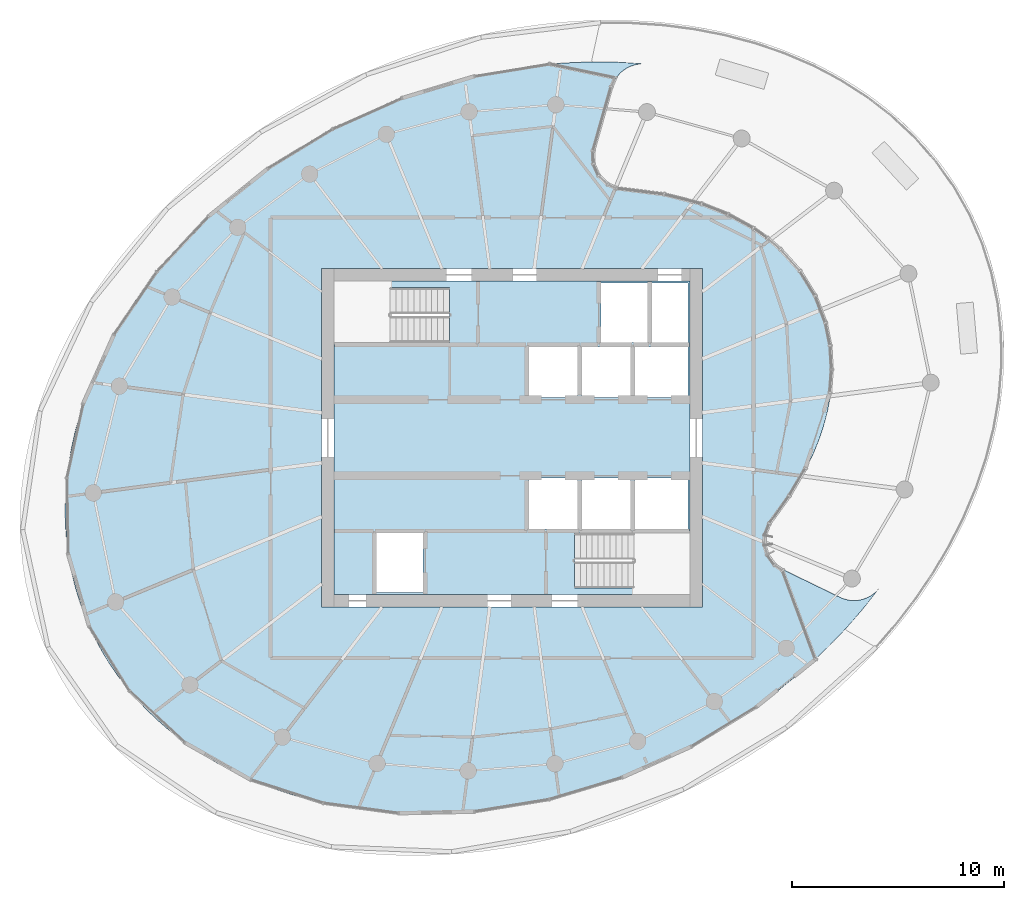
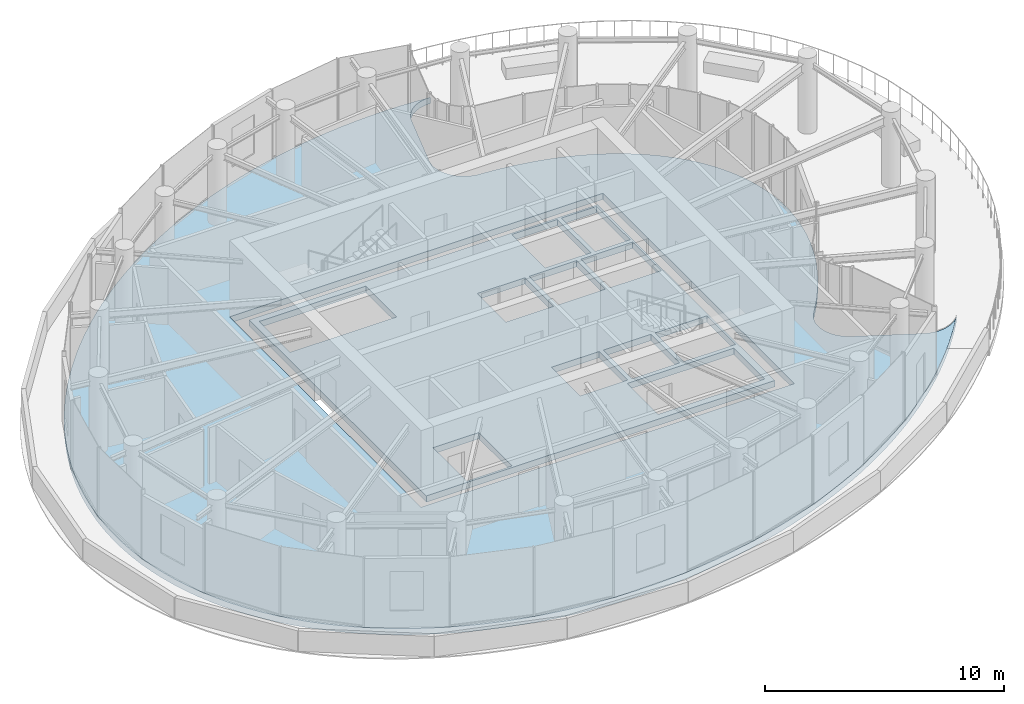
# One storey, part 8 of 19: 2 slabs.
"""IFC4 building model written with IfcOpenShell, lengths in metres."""

import ifcopenshell
import ifcopenshell.guid

model = None  # the IFC model being written
_history = None  # IfcOwnerHistory: only IFC2X3 demands one
_inside = {}  # id of a spatial element -> (the spatial element, [elements in it])
_under = {}  # id of a project, library or spatial element -> (it, [spatial elements below it])
_declared = {}  # id of a project -> (the project, [libraries it declares])
_typed = {}  # id of a type object -> (the type object, [elements of that type])
_made_of = {}  # id of a material, layer set ... -> (it, [elements and type objects made of it])


def new_model(schema):
    """Start an empty IFC model of exactly this schema.

    Asked for "IFC4X3", IfcOpenShell would pick the latest addendum, in which some entities
    have other attributes; the version numbers below select the first issue.
    IFC2X3 requires an IfcOwnerHistory on every rooted entity: one is made here for all.
    """
    global model, _history
    if schema == "IFC4X3":
        model = ifcopenshell.file(schema_version=(4, 3, 0, 0))
    else:
        model = ifcopenshell.file(schema=schema)
    _inside.clear()
    _under.clear()
    _declared.clear()
    _typed.clear()
    _made_of.clear()
    _history = None
    if model.schema == "IFC2X3":
        org = make("IfcOrganization", Name="unknown")
        user = make(
            "IfcPersonAndOrganization",
            ThePerson=make("IfcPerson", FamilyName="unknown"),
            TheOrganization=org,
        )
        app = make(
            "IfcApplication",
            ApplicationDeveloper=org,
            Version="unknown",
            ApplicationFullName="unknown",
            ApplicationIdentifier="unknown",
        )
        _history = make(
            "IfcOwnerHistory",
            OwningUser=user,
            OwningApplication=app,
            ChangeAction="ADDED",
            CreationDate=0,
        )
    return model


def make(cls, **values):
    """One entity of the class cls with the attributes given. An attribute that is None is left unset."""
    return model.create_entity(
        cls, **{name: value for name, value in values.items() if value is not None}
    )


def rooted(cls, **values):
    """An entity with a GlobalId (a new one), such as an element, a storey or a relation."""
    return make(cls, GlobalId=ifcopenshell.guid.new(), OwnerHistory=_history, **values)


def si_unit(unit_type, name, prefix=None):
    """IfcSIUnit, for example si_unit("LENGTHUNIT", "METRE", prefix="MILLI")."""
    return make("IfcSIUnit", UnitType=unit_type, Prefix=prefix, Name=name)


def assignment(units):
    """IfcUnitAssignment: the units of a project."""
    return None if units is None else make("IfcUnitAssignment", Units=units)


def point(xyz):
    """IfcCartesianPoint."""
    return None if xyz is None else make("IfcCartesianPoint", Coordinates=xyz)


def direction(xyz):
    """IfcDirection."""
    return None if xyz is None else make("IfcDirection", DirectionRatios=xyz)


def frame(location, z_axis=None, x_axis=None):
    """IfcAxis2Placement3D, a coordinate frame: its origin and axes. An axis left out is left unset."""
    return make(
        "IfcAxis2Placement3D",
        Location=point(location),
        Axis=direction(z_axis),
        RefDirection=direction(x_axis),
    )


def origin():
    """The frame at (0, 0, 0) with its axes left unset."""
    return frame((0.0, 0.0, 0.0))


def place(relative_to, where):
    """IfcLocalPlacement: puts the frame where relative to a parent placement (None: the world)."""
    return make(
        "IfcLocalPlacement", PlacementRelTo=relative_to, RelativePlacement=where
    )


def context(
    kind, dimensions, precision=None, world=None, true_north=None, identifier=None
):
    """IfcGeometricRepresentationContext, for example the 3D "Model" context."""
    return make(
        "IfcGeometricRepresentationContext",
        ContextIdentifier=identifier,
        ContextType=kind,
        CoordinateSpaceDimension=dimensions,
        Precision=precision,
        WorldCoordinateSystem=world,
        TrueNorth=true_north,
    )


def subcontext(parent, identifier, kind, view, scale=None):
    """IfcGeometricRepresentationSubContext, for example "Body" below "Model"."""
    return make(
        "IfcGeometricRepresentationSubContext",
        ContextIdentifier=identifier,
        ContextType=kind,
        ParentContext=parent,
        TargetScale=scale,
        TargetView=view,
    )


def project(units=None, contexts=None):
    """IfcProject with its units and contexts."""
    return rooted(
        "IfcProject",
        Name="project",
        RepresentationContexts=contexts,
        UnitsInContext=assignment(units),
    )


def spatial(cls, under=None, at=None, **own):
    """A site, building, storey or space (cls), placed at a placement, below another one or the project."""
    s = rooted(cls, ObjectPlacement=at, **own)
    if under is not None:
        _under.setdefault(under.id(), (under, []))[1].append(s)
    return s


def point_list(points):
    """IfcCartesianPointList2D or 3D."""
    cls = (
        "IfcCartesianPointList2D" if len(points[0]) == 2 else "IfcCartesianPointList3D"
    )
    return make(cls, CoordList=points)


def line(*indices):
    """IfcLineIndex: a straight run through numbered points of an indexed curve."""
    return model.create_entity("IfcLineIndex", indices)


def indexed_curve(points, segments=None, self_intersect=None):
    """IfcIndexedPolyCurve: lines and arcs through numbered points (the first is 1)."""
    return make(
        "IfcIndexedPolyCurve",
        Points=point_list(points),
        Segments=segments,
        SelfIntersect=self_intersect,
    )


def outline(outer, holes=None, kind="AREA"):
    """IfcArbitraryClosedProfileDef: a profile drawn as a closed curve; with holes, ...WithVoids."""
    if holes is None:
        return make("IfcArbitraryClosedProfileDef", ProfileType=kind, OuterCurve=outer)
    return make(
        "IfcArbitraryProfileDefWithVoids",
        ProfileType=kind,
        OuterCurve=outer,
        InnerCurves=holes,
    )


def extrude(swept, where, along, depth):
    """IfcExtrudedAreaSolid: the profile swept, set in the frame where, extruded along a direction by depth."""
    return make(
        "IfcExtrudedAreaSolid",
        SweptArea=swept,
        Position=where,
        ExtrudedDirection=direction(along),
        Depth=depth,
    )


def shape(context_of_items, identifier, shape_type, items):
    """IfcShapeRepresentation: the items that make up one representation, for example the "Body"."""
    return make(
        "IfcShapeRepresentation",
        ContextOfItems=context_of_items,
        RepresentationIdentifier=identifier,
        RepresentationType=shape_type,
        Items=items,
    )


def material(Name=None, Category=None):
    """IfcMaterial."""
    return make("IfcMaterial", Name=Name, Category=Category)


def layer(
    of_material, thickness, ventilated=None, Name=None, Category=None, Priority=None
):
    """IfcMaterialLayer: one layer of a wall or slab, of a material (None: an air gap)."""
    return make(
        "IfcMaterialLayer",
        Material=of_material,
        LayerThickness=thickness,
        IsVentilated=ventilated,
        Name=Name,
        Category=Category,
        Priority=Priority,
    )


def layer_set(layers, Name=None):
    """IfcMaterialLayerSet."""
    return make("IfcMaterialLayerSet", MaterialLayers=layers, LayerSetName=Name)


def made_of(thing, what):
    """Note that an element or type object is made of a material, layer set ...; save() writes the relation."""
    if what is not None:
        _made_of.setdefault(what.id(), (what, []))[1].append(thing)
    return thing


def type_object(cls, material=None, **own):
    """A type object (cls), such as IfcWallType, which elements share."""
    return made_of(rooted(cls, **own), material)


def element(
    cls,
    number,
    at=None,
    inside=None,
    cuts=None,
    type_object=None,
    material=None,
    context=None,
    identifier="Body",
    shape_type=None,
    held_by="IfcProductDefinitionShape",
    body=None,
    shapes=None,
    **own,
):
    """One element of the class cls, such as IfcWall. Its Tag is "e" and its number.

    at: its placement. inside: the storey or other place that contains it. cuts: it is an
    opening in that element (IfcRelVoidsElement). A single representation is given by context,
    identifier, shape_type and body (its items); several are given by shapes. held_by: the class
    of the entity that holds the representations. save() writes the other relations.
    """
    e = rooted(cls, Tag="e%d" % number, ObjectPlacement=at, **own)
    if body is not None:
        shapes = [shape(context, identifier, shape_type, body)]
    if shapes is not None:
        e.Representation = make(held_by, Representations=shapes)
    if inside is not None:
        _inside.setdefault(inside.id(), (inside, []))[1].append(e)
    if cuts is not None:
        rooted(
            "IfcRelVoidsElement", RelatingBuildingElement=cuts, RelatedOpeningElement=e
        )
    if type_object is not None:
        _typed.setdefault(type_object.id(), (type_object, []))[1].append(e)
    return made_of(e, material)


def aggregate(whole, parts):
    """IfcRelAggregates: a whole, such as a stair, and the parts it consists of."""
    return rooted("IfcRelAggregates", RelatingObject=whole, RelatedObjects=parts)


def save(model, path):
    """Write the relations noted so far, then the file.

    IfcRelAggregates (storeys below a building ...), IfcRelContainedInSpatialStructure (elements
    in a storey), IfcRelDefinesByType, IfcRelAssociatesMaterial and IfcRelDeclares: one each for
    every whole, place, type object, material and project.
    """
    for whole, parts in _under.values():
        aggregate(whole, parts)
    for where, things in _inside.values():
        rooted(
            "IfcRelContainedInSpatialStructure",
            RelatedElements=things,
            RelatingStructure=where,
        )
    for kind, things in _typed.values():
        rooted("IfcRelDefinesByType", RelatedObjects=things, RelatingType=kind)
    for what, things in _made_of.values():
        rooted("IfcRelAssociatesMaterial", RelatedObjects=things, RelatingMaterial=what)
    for by, libraries in _declared.values():
        rooted("IfcRelDeclares", RelatingContext=by, RelatedDefinitions=libraries)
    model.write(path)


model = new_model("IFC4")

# Units and contexts
model_context = context("Model", 3, precision=1e-05, world=origin(), true_north=direction((0.0, 1.0)))
body_context = subcontext(model_context, "Body", "Model", "MODEL_VIEW")
ifc_project = project(units=[si_unit("LENGTHUNIT", "METRE"), si_unit("AREAUNIT", "SQUARE_METRE"), si_unit("VOLUMEUNIT", "CUBIC_METRE"), si_unit("PLANEANGLEUNIT", "RADIAN"), si_unit("MASSUNIT", "GRAM", prefix="KILO")], contexts=[model_context])

# Site, building, storey
site_placement = place(None, origin())
site = spatial("IfcSite", under=ifc_project, at=site_placement, CompositionType="ELEMENT")
building_placement = place(site_placement, origin())
building = spatial("IfcBuilding", under=site, at=building_placement, Name="Spindrift Exchange Tower", CompositionType="ELEMENT")
storey_placement = place(building_placement, frame((0.0, 0.0, 234.5)))
storey = spatial("IfcBuildingStorey", under=building, at=storey_placement, Name="L57", CompositionType="ELEMENT", Elevation=234.5)

# Slabs
ifc_material_1 = material(Name="Concrete 40 MPa", Category="concrete")
ifc_layer_1 = layer(ifc_material_1, 0.320068359375)
ifc_layer_set_1 = layer_set([ifc_layer_1], Name="RC Floor Slab 320 Concrete 40 MPa")
slab_type_1 = type_object("IfcSlabType", Name="RC Floor Slab 320 Concrete 40 MPa", PredefinedType="FLOOR", material=ifc_layer_set_1)
slab_1_placement = place(storey_placement, frame((0.0, 0.0, -0.320068359375)))
element("IfcSlab", 1, at=slab_1_placement, inside=storey, type_object=slab_type_1, Name="Floor slab L57", PredefinedType="FLOOR", context=body_context, shape_type="SweptSolid", body=[
    extrude(outline(indexed_curve([(69.3291015625, 40.88671875), (68.76171875, 40.1513671875), (68.10693359375, 39.37353515625), (67.65234375, 38.87060546875), (66.945068359375, 38.140380859375), (66.45703125, 37.669921875), (65.702392578125, 36.988525390625), (64.921630859375, 36.337158203125), (64.11669921875, 35.71630859375), (63.567138671875, 35.319091796875), (62.72509765625, 34.74951171875), (62.15234375, 34.386962890625), (61.277099609375, 33.869384765625), (60.3837890625, 33.3837890625), (59.77880859375, 33.078369140625), (58.85791015625, 32.64697265625), (57.92236328125, 32.2490234375), (56.972900390625, 31.884765625), (56.01123046875, 31.554931640625), (55.36376953125, 31.3544921875), (54.3837890625, 31.08349609375), (53.39453125, 30.8486328125), (52.73046875, 30.712890625), (51.728515625, 30.540283203125), (51.056884765625, 30.44677734375), (50.0458984375, 30.33935546875), (49.369873046875, 30.2900390625), (48.69287109375, 30.2587890625), (47.676025390625, 30.247314453125), (46.659912109375, 30.27880859375), (45.983642578125, 30.32470703125), (45.308837890625, 30.390380859375), (44.972412109375, 30.430908203125), (44.301513671875, 30.527587890625), (43.634033203125, 30.6455078125), (43.3017578125, 30.71240234375), (42.640869140625, 30.86279296875), (41.9853515625, 31.035400390625), (41.659912109375, 31.13037109375), (41.014404296875, 31.3369140625), (40.694580078125, 31.448974609375), (40.061279296875, 31.690673828125), (39.4375, 31.955810546875), (38.824462890625, 32.245361328125), (38.223388671875, 32.558837890625), (37.635986328125, 32.89697265625), (37.34765625, 33.0751953125), (36.782958984375, 33.449951171875), (36.2353515625, 33.849365234375), (35.706298828125, 34.27294921875), (35.197509765625, 34.720703125), (34.71044921875, 35.1923828125), (34.246826171875, 35.686767578125), (33.808349609375, 36.20361328125), (33.396484375, 36.741943359375), (33.012451171875, 37.30029296875), (32.831298828125, 37.5869140625), (32.491943359375, 38.173583984375), (32.183349609375, 38.777099609375), (31.906982421875, 39.39599609375), (31.663330078125, 40.0283203125), (31.452880859375, 40.6728515625), (31.2763671875, 41.3271484375), (31.133544921875, 41.98974609375), (31.0244140625, 42.65869140625), (30.948974609375, 43.332275390625), (30.906494140625, 44.0087890625), (30.896484375, 44.6865234375), (30.918212890625, 45.364013671875), (30.97119140625, 46.039794921875), (31.0087890625, 46.37646484375), (31.106689453125, 47.047119140625), (31.166259765625, 47.380859375), (31.306640625, 48.0439453125), (31.386962890625, 48.373291015625), (31.567626953125, 49.026611328125), (31.773681640625, 49.67236328125), (31.88623046875, 49.991943359375), (32.004638671875, 50.3095703125), (32.2587890625, 50.93798828125), (32.39453125, 51.24853515625), (32.682373046875, 51.8623046875), (32.834228515625, 52.165283203125), (33.1533203125, 52.76318359375), (33.4921875, 53.350341796875), (33.668701171875, 53.6396484375), (34.035400390625, 54.209716796875), (34.225341796875, 54.490478515625), (34.618408203125, 55.042724609375), (34.821044921875, 55.314453125), (35.23828125, 55.8486328125), (35.452880859375, 56.111083984375), (36.118408203125, 56.87939453125), (36.580078125, 57.3759765625), (37.054931640625, 57.859619140625), (37.79150390625, 58.560546875), (38.297607421875, 59.011474609375), (38.8154296875, 59.448974609375), (39.612548828125, 60.080078125), (40.156982421875, 60.484130859375), (40.711181640625, 60.874267578125), (41.560302734375, 61.43359375), (42.137451171875, 61.7890625), (42.722900390625, 62.130615234375), (43.6162109375, 62.6162109375), (44.22119140625, 62.921630859375), (44.83349609375, 63.212890625), (45.452392578125, 63.4892578125), (46.07763671875, 63.7509765625), (47.027099609375, 64.115234375), (47.6669921875, 64.3388671875), (48.31201171875, 64.547119140625), (49.28857421875, 64.830078125), (49.945068359375, 64.998779296875), (50.60546875, 65.1513671875), (51.602783203125, 65.348876953125), (52.271484375, 65.459716796875), (52.943115234375, 65.55322265625), (53.9541015625, 65.66064453125), (54.968505859375, 65.727783203125), (55.985107421875, 65.75341796875), (57.00146484375, 65.736572265625), (57.678466796875, 65.70068359375), (58.265380859375, 65.653076171875), (58.157470703125, 65.657470703125), (58.009521484375, 65.648681640625), (57.863037109375, 65.62548828125), (57.7197265625, 65.587890625), (57.58056640625, 65.53662109375), (57.447509765625, 65.471435546875), (57.3212890625, 65.393798828125), (57.203125, 65.303955078125), (57.0947265625, 65.202880859375), (56.99658203125, 65.091796875), (56.91015625, 64.971435546875), (56.835693359375, 64.843017578125), (56.774658203125, 64.7080078125), (56.726806640625, 64.56787109375), (55.90380859375, 61.6845703125), (55.8701171875, 61.53955078125), (55.85107421875, 61.391845703125), (55.846435546875, 61.242919921875), (55.856689453125, 61.094482421875), (55.881591796875, 60.94775390625), (55.921142578125, 60.80419921875), (55.974365234375, 60.6650390625), (56.041259765625, 60.531982421875), (56.12109375, 60.40625), (56.212646484375, 60.2890625), (56.315673828125, 60.181396484375), (56.4287109375, 60.084716796875), (56.55078125, 59.99951171875), (56.6806640625, 59.9267578125), (56.817138671875, 59.8671875), (56.958984375, 59.821533203125), (57.1044921875, 59.790283203125), (57.715087890625, 59.739990234375), (58.19287109375, 59.69140625), (58.936279296875, 59.5859375), (59.68896484375, 59.439697265625), (60.19384765625, 59.31689453125), (60.461181640625, 59.24365234375), (60.95166015625, 59.092529296875), (61.470703125, 58.908203125), (61.953369140625, 58.711181640625), (62.200439453125, 58.60009765625), (62.688232421875, 58.358642578125), (63.18310546875, 58.07958984375), (63.646484375, 57.781982421875), (64.09326171875, 57.456787109375), (64.51953125, 57.10400390625), (64.922607421875, 56.7236328125), (65.299072265625, 56.31689453125), (65.64599609375, 55.884765625), (65.94580078125, 55.4521484375), (66.10498046875, 55.192626953125), (66.24072265625, 54.951416015625), (66.47265625, 54.47998046875), (66.581298828125, 54.2255859375), (66.680419921875, 53.967041015625), (66.778076171875, 53.6787109375), (66.918701171875, 53.171875), (66.98388671875, 52.874755859375), (67.032958984375, 52.6025390625), (67.099609375, 52.0791015625), (67.12060546875, 51.802734375), (67.133056640625, 51.501220703125), (67.134765625, 51.224609375), (67.11328125, 50.69580078125), (67.087158203125, 50.397705078125), (67.017333984375, 49.873291015625), (66.909912109375, 49.313720703125), (66.847412109375, 49.047607421875), (66.70703125, 48.541015625), (66.531494140625, 48.010009765625), (66.437744140625, 47.75830078125), (66.241455078125, 47.279296875), (66.12646484375, 47.022705078125), (65.896484375, 46.55029296875), (65.65087890625, 46.092529296875), (65.391845703125, 45.64990234375), (64.981689453125, 45.014404296875), (64.6962890625, 44.609619140625), (64.2734375, 44.05517578125), (64.187255859375, 43.93359375), (64.113525390625, 43.804443359375), (64.052978515625, 43.66845703125), (64.006103515625, 43.527099609375), (63.9736328125, 43.3818359375), (63.95556640625, 43.23388671875), (63.952392578125, 43.085205078125), (63.9638671875, 42.936767578125), (63.989990234375, 42.7900390625), (64.0302734375, 42.646728515625), (64.084716796875, 42.50830078125), (64.152587890625, 42.375732421875), (64.2333984375, 42.25048828125), (64.326171875, 42.134033203125), (64.429931640625, 42.02734375), (64.543701171875, 41.931396484375), (64.66650390625, 41.84716796875), (64.796875, 41.775390625), (67.493408203125, 40.46435546875), (67.6298828125, 40.40625), (67.771240234375, 40.36181640625), (67.91650390625, 40.33154296875), (68.063720703125, 40.315673828125), (68.2119140625, 40.314453125), (68.359619140625, 40.327880859375), (68.505126953125, 40.355712890625), (68.6474609375, 40.397705078125), (68.78466796875, 40.45361328125), (68.915771484375, 40.52294921875), (69.03955078125, 40.604736328125), (69.154541015625, 40.6982421875), (69.259765625, 40.802734375)], segments=[line(1, 2, 3, 4, 5, 6, 7, 8, 9, 10, 11, 12, 13, 14, 15, 16, 17, 18, 19, 20, 21, 22, 23, 24, 25, 26, 27, 28, 29, 30, 31, 32, 33, 34, 35, 36, 37, 38, 39, 40, 41, 42, 43, 44, 45, 46, 47, 48, 49, 50, 51, 52, 53, 54, 55, 56, 57, 58, 59, 60, 61, 62, 63, 64, 65, 66, 67, 68, 69, 70, 71, 72, 73, 74, 75, 76, 77, 78, 79, 80, 81, 82, 83, 84, 85, 86, 87, 88, 89, 90, 91, 92, 93, 94, 95, 96, 97, 98, 99, 100, 101, 102, 103, 104, 105, 106, 107, 108, 109, 110, 111, 112, 113, 114, 115, 116, 117, 118, 119, 120, 121, 122, 123, 124, 125, 126, 127, 128, 129, 130, 131, 132, 133, 134, 135, 136, 137, 138, 139, 140, 141, 142, 143, 144, 145, 146, 147, 148, 149, 150, 151, 152, 153, 154, 155, 156, 157, 158, 159, 160, 161, 162, 163, 164, 165, 166, 167, 168, 169, 170, 171, 172, 173, 174, 175, 176, 177, 178, 179, 180, 181, 182, 183, 184, 185, 186, 187, 188, 189, 190, 191, 192, 193, 194, 195, 196, 197, 198, 199, 200, 201, 202, 203, 204, 205, 206, 207, 208, 209, 210, 211, 212, 213, 214, 215, 216, 217, 218, 219, 220, 221, 222, 223, 224, 225, 226, 227, 228, 229, 230, 231, 232, 233, 234, 235, 236, 1)], self_intersect=False), holes=[indexed_curve([(43.0, 40.0), (61.0, 40.0), (61.0, 56.0), (43.0, 56.0)], segments=[line(1, 2, 3, 4, 1)], self_intersect=False)]), origin(), (0.0, 0.0, 1.0), 0.320068359375),
])
ifc_material_2 = material(Name="Concrete 50 MPa", Category="concrete")
ifc_layer_2 = layer(ifc_material_2, 0.320068359375)
ifc_layer_set_2 = layer_set([ifc_layer_2], Name="SL-CORE-FLOOR-320")
slab_type_2 = type_object("IfcSlabType", Name="SL-CORE-FLOOR-320", PredefinedType="FLOOR", material=ifc_layer_set_2)
slab_2_placement = place(storey_placement, frame((0.0, 0.0, -0.320068359375)))
element("IfcSlab", 2, at=slab_2_placement, inside=storey, type_object=slab_type_2, Name="L57 Core floor slab", PredefinedType="FLOOR", context=body_context, shape_type="SweptSolid", body=[
    extrude(outline(indexed_curve([(43.60009765625, 40.60009765625), (43.60009765625, 55.39990234375), (60.39990234375, 55.39990234375), (60.39990234375, 40.60009765625)], segments=[line(1, 2, 3, 4, 1)], self_intersect=False), holes=[indexed_curve([(45.60009765625, 43.5), (45.60009765625, 40.699951171875), (47.800048828125, 40.699951171875), (47.800048828125, 43.5)], segments=[line(1, 2, 3, 4, 1)], self_intersect=False), indexed_curve([(52.800048828125, 46.10009765625), (52.800048828125, 43.699951171875), (55.10009765625, 43.699951171875), (55.10009765625, 46.10009765625)], segments=[line(1, 2, 3, 4, 1)], self_intersect=False), indexed_curve([(55.300048828125, 46.10009765625), (55.300048828125, 43.699951171875), (57.60009765625, 43.699951171875), (57.60009765625, 46.10009765625)], segments=[line(1, 2, 3, 4, 1)], self_intersect=False), indexed_curve([(55.10009765625, 52.300048828125), (52.800048828125, 52.300048828125), (52.800048828125, 49.89990234375), (55.10009765625, 49.89990234375)], segments=[line(1, 2, 3, 4, 1)], self_intersect=False), indexed_curve([(57.60009765625, 52.300048828125), (55.300048828125, 52.300048828125), (55.300048828125, 49.89990234375), (57.60009765625, 49.89990234375)], segments=[line(1, 2, 3, 4, 1)], self_intersect=False), indexed_curve([(43.906005859375, 52.506103515625), (49.0439453125, 52.506103515625), (49.0439453125, 55.093994140625), (43.906005859375, 55.093994140625)], segments=[line(1, 2, 3, 4, 1)], self_intersect=False), indexed_curve([(60.093994140625, 40.906005859375), (60.093994140625, 43.493896484375), (54.9560546875, 43.493896484375), (54.9560546875, 40.906005859375)], segments=[line(1, 2, 3, 4, 1)], self_intersect=False), indexed_curve([(60.300048828125, 46.10009765625), (57.800048828125, 46.10009765625), (57.800048828125, 43.699951171875), (60.300048828125, 43.699951171875)], segments=[line(1, 2, 3, 4, 1)], self_intersect=False), indexed_curve([(57.800048828125, 52.300048828125), (57.800048828125, 49.89990234375), (60.300048828125, 49.89990234375), (60.300048828125, 52.300048828125)], segments=[line(1, 2, 3, 4, 1)], self_intersect=False), indexed_curve([(58.39990234375, 55.300048828125), (56.199951171875, 55.300048828125), (56.199951171875, 52.5), (58.39990234375, 52.5)], segments=[line(1, 2, 3, 4, 1)], self_intersect=False), indexed_curve([(60.300048828125, 55.300048828125), (58.60009765625, 55.300048828125), (58.60009765625, 52.5), (60.300048828125, 52.5)], segments=[line(1, 2, 3, 4, 1)], self_intersect=False)]), origin(), (0.0, 0.0, 1.0), 0.320068359375),
])

save(model, "model.ifc")
